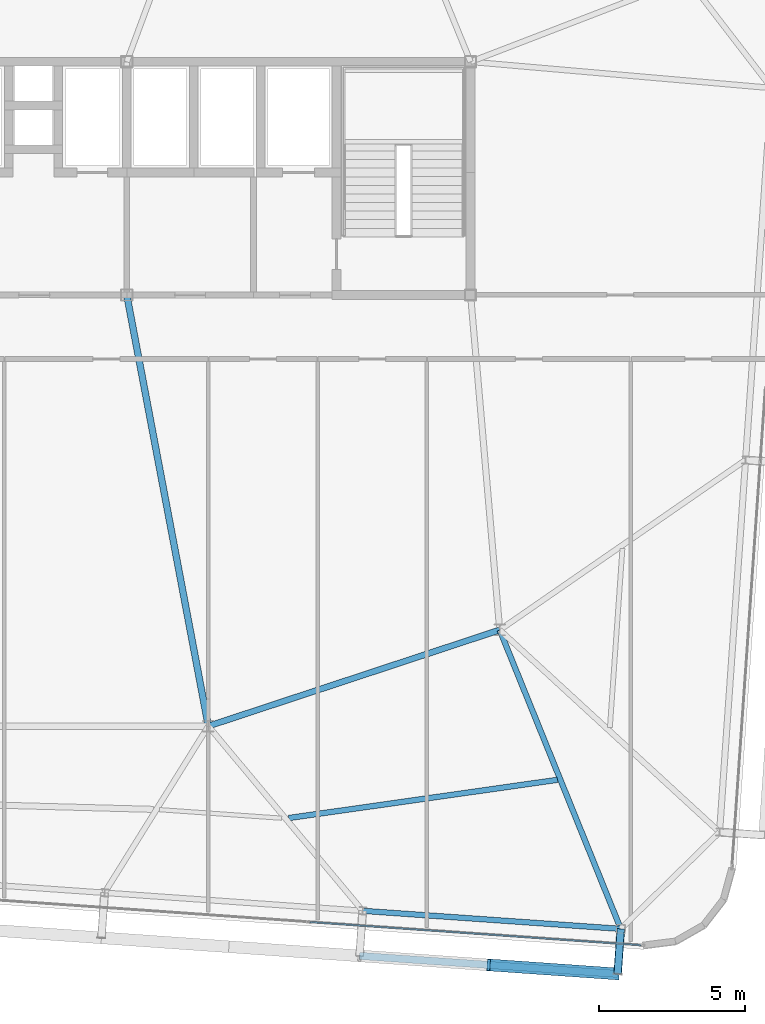
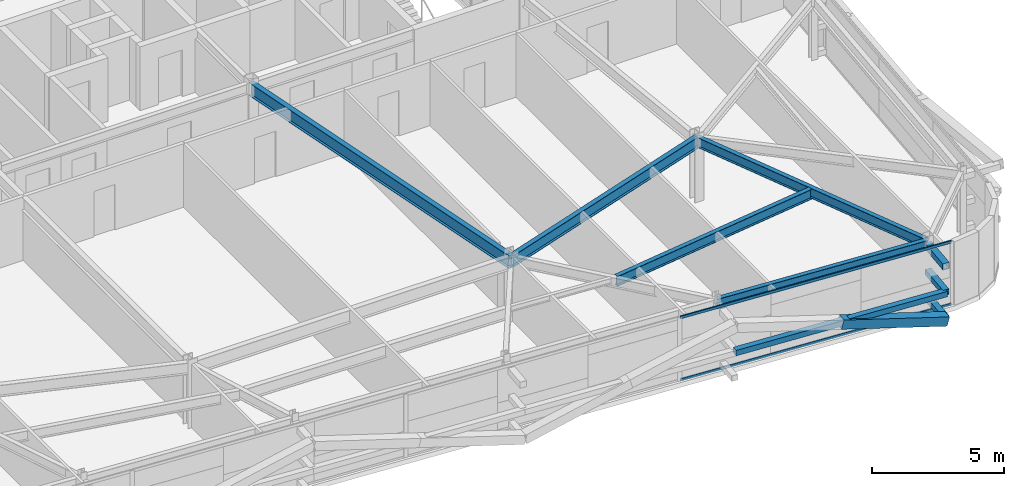
# One storey, part 14 of 39: 7 members, 5 beams, 1 element without a shape of its own.
"""IFC4 building model written with IfcOpenShell, lengths in metres."""

import ifcopenshell
import ifcopenshell.guid

model = None  # the IFC model being written
_history = None  # IfcOwnerHistory: only IFC2X3 demands one
_inside = {}  # id of a spatial element -> (the spatial element, [elements in it])
_under = {}  # id of a project, library or spatial element -> (it, [spatial elements below it])
_declared = {}  # id of a project -> (the project, [libraries it declares])
_typed = {}  # id of a type object -> (the type object, [elements of that type])
_made_of = {}  # id of a material, layer set ... -> (it, [elements and type objects made of it])


def new_model(schema):
    """Start an empty IFC model of exactly this schema.

    Asked for "IFC4X3", IfcOpenShell would pick the latest addendum, in which some entities
    have other attributes; the version numbers below select the first issue.
    IFC2X3 requires an IfcOwnerHistory on every rooted entity: one is made here for all.
    """
    global model, _history
    if schema == "IFC4X3":
        model = ifcopenshell.file(schema_version=(4, 3, 0, 0))
    else:
        model = ifcopenshell.file(schema=schema)
    _inside.clear()
    _under.clear()
    _declared.clear()
    _typed.clear()
    _made_of.clear()
    _history = None
    if model.schema == "IFC2X3":
        org = make("IfcOrganization", Name="unknown")
        user = make(
            "IfcPersonAndOrganization",
            ThePerson=make("IfcPerson", FamilyName="unknown"),
            TheOrganization=org,
        )
        app = make(
            "IfcApplication",
            ApplicationDeveloper=org,
            Version="unknown",
            ApplicationFullName="unknown",
            ApplicationIdentifier="unknown",
        )
        _history = make(
            "IfcOwnerHistory",
            OwningUser=user,
            OwningApplication=app,
            ChangeAction="ADDED",
            CreationDate=0,
        )
    return model


def make(cls, **values):
    """One entity of the class cls with the attributes given. An attribute that is None is left unset."""
    return model.create_entity(
        cls, **{name: value for name, value in values.items() if value is not None}
    )


def rooted(cls, **values):
    """An entity with a GlobalId (a new one), such as an element, a storey or a relation."""
    return make(cls, GlobalId=ifcopenshell.guid.new(), OwnerHistory=_history, **values)


def si_unit(unit_type, name, prefix=None):
    """IfcSIUnit, for example si_unit("LENGTHUNIT", "METRE", prefix="MILLI")."""
    return make("IfcSIUnit", UnitType=unit_type, Prefix=prefix, Name=name)


def assignment(units):
    """IfcUnitAssignment: the units of a project."""
    return None if units is None else make("IfcUnitAssignment", Units=units)


def point(xyz):
    """IfcCartesianPoint."""
    return None if xyz is None else make("IfcCartesianPoint", Coordinates=xyz)


def direction(xyz):
    """IfcDirection."""
    return None if xyz is None else make("IfcDirection", DirectionRatios=xyz)


def frame(location, z_axis=None, x_axis=None):
    """IfcAxis2Placement3D, a coordinate frame: its origin and axes. An axis left out is left unset."""
    return make(
        "IfcAxis2Placement3D",
        Location=point(location),
        Axis=direction(z_axis),
        RefDirection=direction(x_axis),
    )


def frame_2d(location, x_axis=None):
    """IfcAxis2Placement2D, a coordinate frame in the plane: its origin and x axis."""
    return make(
        "IfcAxis2Placement2D", Location=point(location), RefDirection=direction(x_axis)
    )


def origin():
    """The frame at (0, 0, 0) with its axes left unset."""
    return frame((0.0, 0.0, 0.0))


def origin_2d():
    """The frame at (0, 0) in the plane with its x axis left unset."""
    return frame_2d((0.0, 0.0))


def place(relative_to, where):
    """IfcLocalPlacement: puts the frame where relative to a parent placement (None: the world)."""
    return make(
        "IfcLocalPlacement", PlacementRelTo=relative_to, RelativePlacement=where
    )


def context(
    kind, dimensions, precision=None, world=None, true_north=None, identifier=None
):
    """IfcGeometricRepresentationContext, for example the 3D "Model" context."""
    return make(
        "IfcGeometricRepresentationContext",
        ContextIdentifier=identifier,
        ContextType=kind,
        CoordinateSpaceDimension=dimensions,
        Precision=precision,
        WorldCoordinateSystem=world,
        TrueNorth=true_north,
    )


def subcontext(parent, identifier, kind, view, scale=None):
    """IfcGeometricRepresentationSubContext, for example "Body" below "Model"."""
    return make(
        "IfcGeometricRepresentationSubContext",
        ContextIdentifier=identifier,
        ContextType=kind,
        ParentContext=parent,
        TargetScale=scale,
        TargetView=view,
    )


def project(units=None, contexts=None):
    """IfcProject with its units and contexts."""
    return rooted(
        "IfcProject",
        Name="project",
        RepresentationContexts=contexts,
        UnitsInContext=assignment(units),
    )


def spatial(cls, under=None, at=None, **own):
    """A site, building, storey or space (cls), placed at a placement, below another one or the project."""
    s = rooted(cls, ObjectPlacement=at, **own)
    if under is not None:
        _under.setdefault(under.id(), (under, []))[1].append(s)
    return s


def profile(cls, at=None, kind="AREA", **sizes):
    """A parametric profile (cls). Its sizes go by their IFC names, for example OverallWidth=200.0."""
    return make(cls, ProfileType=kind, Position=at, **sizes)


def hollow_rectangle(**sizes):
    """IfcRectangleHollowProfileDef."""
    return profile("IfcRectangleHollowProfileDef", **sizes)


def i_section(**sizes):
    """IfcIShapeProfileDef."""
    return profile("IfcIShapeProfileDef", **sizes)


def extrude(swept, where, along, depth):
    """IfcExtrudedAreaSolid: the profile swept, set in the frame where, extruded along a direction by depth."""
    return make(
        "IfcExtrudedAreaSolid",
        SweptArea=swept,
        Position=where,
        ExtrudedDirection=direction(along),
        Depth=depth,
    )


def shape(context_of_items, identifier, shape_type, items):
    """IfcShapeRepresentation: the items that make up one representation, for example the "Body"."""
    return make(
        "IfcShapeRepresentation",
        ContextOfItems=context_of_items,
        RepresentationIdentifier=identifier,
        RepresentationType=shape_type,
        Items=items,
    )


def source(mapping_origin, context_of_items, identifier, shape_type, items):
    """IfcRepresentationMap: a shape defined once, which mapped items show again and again."""
    return make(
        "IfcRepresentationMap",
        MappingOrigin=mapping_origin,
        MappedRepresentation=shape(context_of_items, identifier, shape_type, items),
    )


def transform(
    local_origin,
    x_axis=None,
    y_axis=None,
    z_axis=None,
    scale=None,
    scale2=None,
    scale3=None,
    uniform=True,
):
    """IfcCartesianTransformationOperator3D, or its non-uniform kind. x_axis, y_axis, z_axis: its Axis1, 2, 3."""
    if uniform:
        return make(
            "IfcCartesianTransformationOperator3D",
            Axis1=direction(x_axis),
            Axis2=direction(y_axis),
            LocalOrigin=point(local_origin),
            Scale=scale,
            Axis3=direction(z_axis),
        )
    return make(
        "IfcCartesianTransformationOperator3DnonUniform",
        Axis1=direction(x_axis),
        Axis2=direction(y_axis),
        LocalOrigin=point(local_origin),
        Scale=scale,
        Axis3=direction(z_axis),
        Scale2=scale2,
        Scale3=scale3,
    )


def mapped(mapping_source, mapping_target):
    """IfcMappedItem: shows the shape of a source again, moved by a transform."""
    return make(
        "IfcMappedItem", MappingSource=mapping_source, MappingTarget=mapping_target
    )


def material(Name=None, Category=None):
    """IfcMaterial."""
    return make("IfcMaterial", Name=Name, Category=Category)


def layer(
    of_material, thickness, ventilated=None, Name=None, Category=None, Priority=None
):
    """IfcMaterialLayer: one layer of a wall or slab, of a material (None: an air gap)."""
    return make(
        "IfcMaterialLayer",
        Material=of_material,
        LayerThickness=thickness,
        IsVentilated=ventilated,
        Name=Name,
        Category=Category,
        Priority=Priority,
    )


def layer_set(layers, Name=None):
    """IfcMaterialLayerSet."""
    return make("IfcMaterialLayerSet", MaterialLayers=layers, LayerSetName=Name)


def material_profile(
    of_material, cross_section, Name=None, Category=None, Priority=None
):
    """IfcMaterialProfile: a cross section and its material."""
    return make(
        "IfcMaterialProfile",
        Name=Name,
        Material=of_material,
        Profile=cross_section,
        Priority=Priority,
        Category=Category,
    )


def profile_set(profiles, Name=None, composite=None):
    """IfcMaterialProfileSet."""
    return make(
        "IfcMaterialProfileSet",
        Name=Name,
        MaterialProfiles=profiles,
        CompositeProfile=composite,
    )


def made_of(thing, what):
    """Note that an element or type object is made of a material, layer set ...; save() writes the relation."""
    if what is not None:
        _made_of.setdefault(what.id(), (what, []))[1].append(thing)
    return thing


def type_object(cls, material=None, **own):
    """A type object (cls), such as IfcWallType, which elements share."""
    return made_of(rooted(cls, **own), material)


def element(
    cls,
    number,
    at=None,
    inside=None,
    cuts=None,
    type_object=None,
    material=None,
    context=None,
    identifier="Body",
    shape_type=None,
    held_by="IfcProductDefinitionShape",
    body=None,
    shapes=None,
    **own,
):
    """One element of the class cls, such as IfcWall. Its Tag is "e" and its number.

    at: its placement. inside: the storey or other place that contains it. cuts: it is an
    opening in that element (IfcRelVoidsElement). A single representation is given by context,
    identifier, shape_type and body (its items); several are given by shapes. held_by: the class
    of the entity that holds the representations. save() writes the other relations.
    """
    e = rooted(cls, Tag="e%d" % number, ObjectPlacement=at, **own)
    if body is not None:
        shapes = [shape(context, identifier, shape_type, body)]
    if shapes is not None:
        e.Representation = make(held_by, Representations=shapes)
    if inside is not None:
        _inside.setdefault(inside.id(), (inside, []))[1].append(e)
    if cuts is not None:
        rooted(
            "IfcRelVoidsElement", RelatingBuildingElement=cuts, RelatedOpeningElement=e
        )
    if type_object is not None:
        _typed.setdefault(type_object.id(), (type_object, []))[1].append(e)
    return made_of(e, material)


def aggregate(whole, parts):
    """IfcRelAggregates: a whole, such as a stair, and the parts it consists of."""
    return rooted("IfcRelAggregates", RelatingObject=whole, RelatedObjects=parts)


def save(model, path):
    """Write the relations noted so far, then the file.

    IfcRelAggregates (storeys below a building ...), IfcRelContainedInSpatialStructure (elements
    in a storey), IfcRelDefinesByType, IfcRelAssociatesMaterial and IfcRelDeclares: one each for
    every whole, place, type object, material and project.
    """
    for whole, parts in _under.values():
        aggregate(whole, parts)
    for where, things in _inside.values():
        rooted(
            "IfcRelContainedInSpatialStructure",
            RelatedElements=things,
            RelatingStructure=where,
        )
    for kind, things in _typed.values():
        rooted("IfcRelDefinesByType", RelatedObjects=things, RelatingType=kind)
    for what, things in _made_of.values():
        rooted("IfcRelAssociatesMaterial", RelatedObjects=things, RelatingMaterial=what)
    for by, libraries in _declared.values():
        rooted("IfcRelDeclares", RelatingContext=by, RelatedDefinitions=libraries)
    model.write(path)


model = new_model("IFC4")

# Units and contexts
model_context = context("Model", 3, precision=1e-05, world=origin(), true_north=direction((0.0, 1.0)))
body_context = subcontext(model_context, "Body", "Model", "MODEL_VIEW")
ifc_project = project(units=[si_unit("LENGTHUNIT", "METRE"), si_unit("AREAUNIT", "SQUARE_METRE"), si_unit("VOLUMEUNIT", "CUBIC_METRE"), si_unit("PLANEANGLEUNIT", "RADIAN"), si_unit("MASSUNIT", "GRAM", prefix="KILO")], contexts=[model_context])

# Site, building, storey
site_placement = place(None, origin())
site = spatial("IfcSite", under=ifc_project, at=site_placement, CompositionType="ELEMENT")
building_placement = place(site_placement, origin())
building = spatial("IfcBuilding", under=site, at=building_placement, Name="Taldren Reach Tower", CompositionType="ELEMENT")
storey_placement = place(building_placement, frame((0.0, 0.0, 155.050048828125)))
storey = spatial("IfcBuildingStorey", under=building, at=storey_placement, Name="L47", CompositionType="ELEMENT", Elevation=155.050048828125)

# Beams
ifc_material_1 = material(Name="Steel Gr 350 (350PLUS)", Category="steel")
ifc_material_profile_1 = material_profile(ifc_material_1, i_section(OverallWidth=0.208984375, OverallDepth=0.532958984375, WebThickness=0.01025390625, FlangeThickness=0.015625, at=origin_2d()), Name="530UB92.4")
ifc_profile_set_1 = profile_set([ifc_material_profile_1], Name="Steel Gr 350 (350PLUS)")
beam_type_1 = type_object("IfcBeamType", Name="BM-UB530A", PredefinedType="BEAM", material=ifc_profile_set_1)
shared_shape_1 = source(origin(), body_context, "Body", "SweptSolid", [
    extrude(i_section(OverallWidth=0.208984375, OverallDepth=0.532958984375, WebThickness=0.01025390625, FlangeThickness=0.015625, at=origin_2d()), origin(), (0.0, 0.0, 1.0), 10.530517578125),
])
beam_1_placement = place(storey_placement, frame((42.0, 9.199951171875, 2.663330078125), z_axis=(0.949627269203, 0.313381635689, 0.0), x_axis=(-0.313381635689, 0.949627269203, 0.0)))
element("IfcBeam", 1, at=beam_1_placement, inside=storey, type_object=beam_type_1, Name="Core-spine girder L47-SP12", PredefinedType="BEAM", context=body_context, shape_type="MappedRepresentation", body=[
    mapped(shared_shape_1, transform((0.0, 0.0, 0.0), scale=1.0)),
])
ifc_material_profile_2 = material_profile(ifc_material_1, i_section(OverallWidth=0.22802734375, OverallDepth=0.60205078125, WebThickness=0.010498046875, FlangeThickness=0.014892578125, at=origin_2d()), Name="610UB101")
ifc_profile_set_2 = profile_set([ifc_material_profile_2], Name="Steel Gr 350 (350PLUS)")
beam_type_2 = type_object("IfcBeamType", Name="BM-UB610B", PredefinedType="BEAM", material=ifc_profile_set_2)
shared_shape_2 = source(origin(), body_context, "Body", "SweptSolid", [
    extrude(i_section(OverallWidth=0.22802734375, OverallDepth=0.60205078125, WebThickness=0.010498046875, FlangeThickness=0.014892578125, at=origin_2d()), origin(), (0.0, 0.0, 1.0), 15.0625),
])
beam_2_placement = place(storey_placement, frame((39.199951171875, 24.0, 2.62890625), z_axis=(0.185894205668, -0.982569765614, 0.0), x_axis=(0.982569765614, 0.185894205668, 0.0)))
element("IfcBeam", 2, at=beam_2_placement, inside=storey, type_object=beam_type_2, Name="Core-spine girder L47-SP15", PredefinedType="BEAM", context=body_context, shape_type="MappedRepresentation", body=[
    mapped(shared_shape_2, transform((0.0, 0.0, 0.0), scale=1.0)),
])

# Members
ifc_material_2 = material(Name="Steel Gr 450 (C450L0)", Category="steel")
ifc_material_profile_3 = material_profile(ifc_material_2, hollow_rectangle(XDim=0.27490234375, YDim=0.27490234375, WallThickness=0.00927734375, at=origin_2d()), Name="275x275x9.3SHS")
ifc_profile_set_3 = profile_set([ifc_material_profile_3], Name="Steel Gr 450 (C450L0)")
member_type_1 = type_object("IfcMemberType", Name="MB-TIE273", PredefinedType="STRUT", material=ifc_profile_set_3)
shared_shape_3 = source(origin(), body_context, "Body", "SweptSolid", [
    extrude(hollow_rectangle(XDim=0.27490234375, YDim=0.27490234375, WallThickness=0.00927734375, at=origin_2d()), origin(), (0.0, 0.0, 1.0), 1.5498046875),
])
member_1_placement = place(storey_placement, frame((56.155517578125, 2.2412109375, 2.64990234375), z_axis=(-0.069780535098, -0.997562367434, 0.0), x_axis=(0.997562367434, -0.069780535098, 0.0)))
element("IfcMember", 3, at=member_1_placement, inside=storey, type_object=member_type_1, Name="Exoskeleton diaphragm tie strut B3-S6 L47", PredefinedType="STRUT", context=body_context, shape_type="MappedRepresentation", body=[
    mapped(shared_shape_3, transform((0.0, 0.0, 0.0), scale=1.0)),
])
ifc_material_3 = material(Name="Steel Gr 350 (C350L0)", Category="steel")
ifc_material_profile_4 = material_profile(ifc_material_3, hollow_rectangle(XDim=0.25, YDim=0.25, WallThickness=0.010009765625, at=origin_2d()), Name="250x250x10.0SHS")
ifc_profile_set_4 = profile_set([ifc_material_profile_4], Name="Steel Gr 350 (C350L0)")
member_type_2 = type_object("IfcMemberType", Name="MB-POST250", PredefinedType="POST", material=ifc_profile_set_4)
shared_shape_4 = source(origin(), body_context, "Body", "SweptSolid", [
    extrude(hollow_rectangle(XDim=0.25, YDim=0.25, WallThickness=0.010009765625, at=origin_2d()), origin(), (0.0, 0.0, 1.0), 1.5498046875),
])
for number, where, z_axis, x_axis, name in (
    (4, (56.155517578125, 2.2412109375, 0.219970703125), (-0.069780535098, -0.997562367434, 0.0), (0.997562367434, -0.069780535098, 0.0), "Exoskeleton base diaphragm tie strut B3-S6 L47"),
    (5, (56.155517578125, 2.2412109375, 1.43505859375), (-0.069780535098, -0.997562367434, 0.0), (0.997562367434, -0.069780535098, 0.0), "Exoskeleton mid-tier diaphragm tie B3-S6 L47"),
):
    element("IfcMember", number, at=place(storey_placement, frame(where, z_axis=z_axis, x_axis=x_axis)), inside=storey, type_object=member_type_2, Name=name, PredefinedType="POST", context=body_context, shape_type="MappedRepresentation", body=[
        mapped(shared_shape_4, transform((0.0, 0.0, 0.0), scale=1.0)),
    ])

# Beams
ifc_material_profile_5 = material_profile(ifc_material_1, i_section(OverallWidth=0.18994140625, OverallDepth=0.4541015625, WebThickness=0.008544921875, FlangeThickness=0.0126953125, at=origin_2d()), Name="460UB67.1")
ifc_profile_set_5 = profile_set([ifc_material_profile_5], Name="Steel Gr 350 (350PLUS)")
beam_type_3 = type_object("IfcBeamType", Name="SP-UB460B", PredefinedType="SPANDREL", material=ifc_profile_set_5)
shared_shape_5 = source(origin(), body_context, "Body", "SweptSolid", [
    extrude(i_section(OverallWidth=0.18994140625, OverallDepth=0.4541015625, WebThickness=0.008544921875, FlangeThickness=0.0126953125, at=origin_2d()), origin(), (0.0, 0.0, 1.0), 8.880126953125),
])
beam_3_placement = place(storey_placement, frame((47.297119140625, 2.860595703125, 2.702880859375), z_axis=(0.997564479639, -0.069750333063, 0.0), x_axis=(0.069750333063, 0.997564479639, 0.0)))
element("IfcBeam", 6, at=beam_3_placement, inside=storey, type_object=beam_type_3, Name="Perimeter spandrel B3 S5-S6 L47", PredefinedType="SPANDREL", context=body_context, shape_type="MappedRepresentation", body=[
    mapped(shared_shape_5, transform((0.0, 0.0, 0.0), scale=1.0)),
])
ifc_material_profile_6 = material_profile(ifc_material_1, i_section(OverallWidth=0.19091796875, OverallDepth=0.4599609375, WebThickness=0.010009765625, FlangeThickness=0.01611328125, at=origin_2d()), Name="460UB82.1")
ifc_profile_set_6 = profile_set([ifc_material_profile_6], Name="Steel Gr 350 (350PLUS)")
beam_type_4 = type_object("IfcBeamType", Name="BM-UB460A", PredefinedType="BEAM", material=ifc_profile_set_6)
shared_shape_6 = source(origin(), body_context, "Body", "SweptSolid", [
    extrude(i_section(OverallWidth=0.19091796875, OverallDepth=0.4599609375, WebThickness=0.010009765625, FlangeThickness=0.01611328125, at=origin_2d()), origin(), (0.0, 0.0, 1.0), 11.068359375),
])
beam_4_placement = place(storey_placement, frame((52.0, 12.5, 2.699951171875), z_axis=(0.375437319636, -0.92684778633, 0.0), x_axis=(0.92684778633, 0.375437319636, 0.0)))
element("IfcBeam", 7, at=beam_4_placement, inside=storey, type_object=beam_type_4, Name="Primary floor girder B3-S6 L47", PredefinedType="BEAM", context=body_context, shape_type="MappedRepresentation", body=[
    mapped(shared_shape_6, transform((0.0, 0.0, 0.0), scale=1.0)),
])
shared_shape_7 = source(origin(), body_context, "Body", "SweptSolid", [
    extrude(i_section(OverallWidth=0.19091796875, OverallDepth=0.4599609375, WebThickness=0.010009765625, FlangeThickness=0.01611328125, at=origin_2d()), origin(), (0.0, 0.0, 1.0), 9.313232421875),
])
beam_5_placement = place(storey_placement, frame((44.759765625, 6.046142578125, 2.699951171875), z_axis=(0.990049385514, 0.140720340547, 0.0), x_axis=(-0.140720340547, 0.990049385514, 0.0)))
element("IfcBeam", 8, at=beam_5_placement, inside=storey, type_object=beam_type_4, Name="Secondary floor beam B3 J5 L47", PredefinedType="BEAM", context=body_context, shape_type="MappedRepresentation", body=[
    mapped(shared_shape_7, transform((0.0, 0.0, 0.0), scale=1.0)),
])

# Members
shared_shape_8 = source(origin(), body_context, "Body", "SweptSolid", [
    extrude(hollow_rectangle(XDim=0.25, YDim=0.25, WallThickness=0.010009765625, at=origin_2d()), origin(), (0.0, 0.0, 1.0), 8.880126953125),
])
member_2_placement = place(storey_placement, frame((47.18896484375, 1.314453125, 1.43505859375), z_axis=(0.997564479639, -0.069750333063, 0.0), x_axis=(0.069750333063, 0.997564479639, 0.0)))
element("IfcMember", 9, at=member_2_placement, inside=storey, type_object=member_type_2, Name="Exoskeleton mid-height ring chord B3-S5 L47", PredefinedType="POST", context=body_context, shape_type="MappedRepresentation", body=[
    mapped(shared_shape_8, transform((0.0, 0.0, 0.0), scale=1.0)),
])
ifc_material_profile_7 = material_profile(ifc_material_2, hollow_rectangle(XDim=0.409912109375, YDim=0.409912109375, WallThickness=0.01611328125, at=origin_2d()), Name="410x410x16.0SHS")
ifc_profile_set_7 = profile_set([ifc_material_profile_7], Name="Steel Gr 450 (C450L0)")
member_type_3 = type_object("IfcMemberType", Name="MB-EXO406", PredefinedType="BRACE", material=ifc_profile_set_7)
shared_shape_9 = source(origin(), body_context, "Body", "SweptSolid", [
    extrude(hollow_rectangle(XDim=0.409912109375, YDim=0.409912109375, WallThickness=0.01611328125, at=origin_2d()), origin(), (0.0, 0.0, 1.0), 4.603271484375),
])
member_3_placement = place(storey_placement, frame((56.04736328125, 0.695068359375, 0.219970703125), z_axis=(-0.962185784239, 0.067250114343, 0.263962002434), x_axis=(-0.069722973508, -0.997566392259, 0.0)))
element("IfcMember", 10, at=member_3_placement, inside=storey, type_object=member_type_3, Name="Exoskeleton Diagrid Brace B3-S5 L47", PredefinedType="BRACE", context=body_context, shape_type="MappedRepresentation", body=[
    mapped(shared_shape_9, transform((0.0, 0.0, 0.0), scale=1.0)),
])

# Curtain wall, members
ifc_material_4 = material(Name="Aluminium and Low-E Glass Unitised System", Category="aluminium")
ifc_layer = layer(ifc_material_4, 0.159912109375)
ifc_layer_set = layer_set([ifc_layer], Name="Aluminium and Low-E Glass Unitised System")
curtain_wall_type = type_object("IfcCurtainWallType", Name="CW-SYS-4", PredefinedType="NOTDEFINED", material=ifc_layer_set)
curtain_wall_placement = place(storey_placement, origin())
curtain_wall = element("IfcCurtainWall", 11, at=curtain_wall_placement, inside=storey, type_object=curtain_wall_type, Name="Unitised curtain wall CW-L47-S", PredefinedType="NOTDEFINED")
ifc_material_5 = material(Name="Anodised Aluminium 6063-T6", Category="aluminium")
ifc_material_profile_8 = material_profile(ifc_material_5, hollow_rectangle(XDim=0.054931640625, YDim=0.1201171875, WallThickness=0.0029296875, at=origin_2d()), Name="ALU-120x55x3RHS")
ifc_profile_set_8 = profile_set([ifc_material_profile_8], Name="Anodised Aluminium 6063-T6")
member_type_4 = type_object("IfcMemberType", Name="CW-TRN-135", PredefinedType="USERDEFINED", material=ifc_profile_set_8)
shared_shape_10 = source(origin(), body_context, "Body", "SweptSolid", [
    extrude(hollow_rectangle(XDim=0.054931640625, YDim=0.1201171875, WallThickness=0.0029296875, at=origin_2d()), origin(), (0.0, 0.0, 1.0), 11.395263671875),
])
member_4_placement = place(storey_placement, frame((45.480712890625, 2.476318359375, 0.02734375), z_axis=(0.997565335668, -0.069738089122, 0.0), x_axis=(0.069738089122, 0.997565335668, 0.0)))
member_4 = element("IfcMember", 12, at=member_4_placement, type_object=member_type_4, Name="CW-4 transom 4.1", ObjectType="TRANSOM", PredefinedType="USERDEFINED", context=body_context, shape_type="MappedRepresentation", body=[
    mapped(shared_shape_10, transform((0.0, 0.0, 0.0), scale=1.0)),
])
member_5_placement = place(storey_placement, frame((45.480712890625, 2.476318359375, 2.90234375), z_axis=(0.997565335668, -0.069738089122, 0.0), x_axis=(0.069738089122, 0.997565335668, 0.0)))
member_5 = element("IfcMember", 13, at=member_5_placement, type_object=member_type_4, Name="CW-4 transom 4.2", ObjectType="TRANSOM", PredefinedType="USERDEFINED", context=body_context, shape_type="MappedRepresentation", body=[
    mapped(shared_shape_10, transform((0.0, 0.0, 0.0), scale=1.0)),
])
aggregate(curtain_wall, [member_4, member_5])

save(model, "model.ifc")
